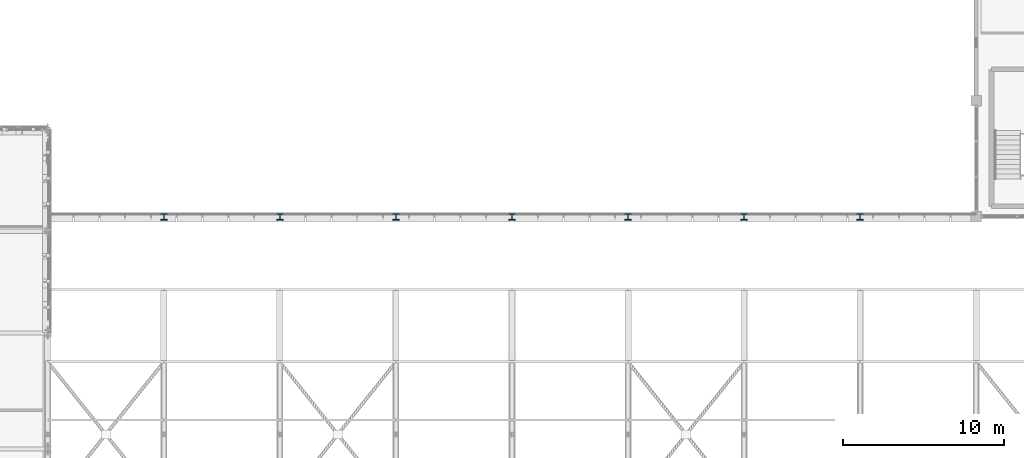
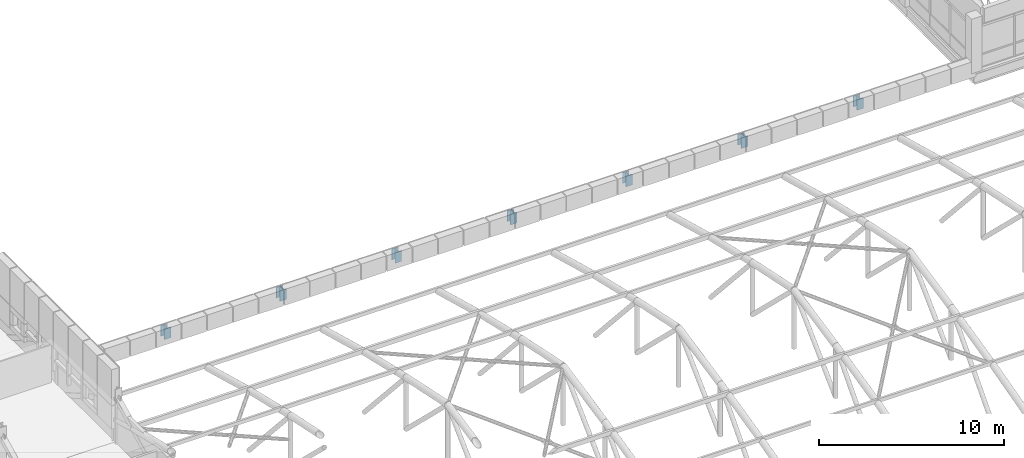
# One storey, part 9 of 96: 7 columns.
"""IFC4 building model written with IfcOpenShell, lengths in metres."""

from ifc_helpers import new_model, si_unit, direction, frame, origin, origin_2d, place, context, subcontext, project, spatial, i_section, extrude, material, material_profile, profile_set, type_object, element, save


model = new_model("IFC4")

# Units and contexts
model_context = context("Model", 3, precision=1e-05, world=origin(), true_north=direction((0.0, 1.0)))
body_context = subcontext(model_context, "Body", "Model", "MODEL_VIEW")
ifc_project = project(units=[si_unit("LENGTHUNIT", "METRE"), si_unit("AREAUNIT", "SQUARE_METRE"), si_unit("VOLUMEUNIT", "CUBIC_METRE"), si_unit("PLANEANGLEUNIT", "RADIAN"), si_unit("MASSUNIT", "GRAM", prefix="KILO")], contexts=[model_context])

# Site, building, storey
site_placement = place(None, origin())
site = spatial("IfcSite", under=ifc_project, at=site_placement, CompositionType="ELEMENT")
building_placement = place(site_placement, origin())
building = spatial("IfcBuilding", under=site, at=building_placement, Name="Yarey Park Central Fire Station", CompositionType="ELEMENT")
storey_placement = place(building_placement, frame((0.0, 0.0, 14.39990234375)))
storey = spatial("IfcBuildingStorey", under=building, at=storey_placement, Name="L04", CompositionType="ELEMENT", Elevation=14.39990234375)

# Columns
ifc_material = material(Name="Steel ASTM A992 Gr. 50", Category="steel")
ifc_material_profile = material_profile(ifc_material, i_section(OverallWidth=0.404052734375, OverallDepth=0.406982421875, WebThickness=0.027099609375, FlangeThickness=0.043701171875, at=origin_2d()), Name="W360x347")
ifc_profile_set = profile_set([ifc_material_profile], Name="Steel ASTM A992 Gr. 50")
column_type = type_object("IfcColumnType", Name="STR_COL_W360_EXT", PredefinedType="COLUMN", material=ifc_profile_set)
for number, where, z_axis, x_axis, name in (
    (1, (64.800048828125, 93.60009765625, 0.0), (0.0, 0.0, 1.0), (1.0, 0.0, 0.0), "V2_SCR_POST_N_L04_64"),
    (2, (72.0, 93.60009765625, 0.0), (0.0, 0.0, 1.0), (1.0, 0.0, 0.0), "V2_SCR_POST_N_L04_72"),
    (3, (79.199951171875, 93.60009765625, 0.0), (0.0, 0.0, 1.0), (1.0, 0.0, 0.0), "V2_SCR_POST_N_L04_79"),
    (4, (86.39990234375, 93.60009765625, 0.0), (0.0, 0.0, 1.0), (1.0, 0.0, 0.0), "V2_SCR_POST_N_L04_86"),
    (5, (93.60009765625, 93.60009765625, 0.0), (0.0, 0.0, 1.0), (1.0, 0.0, 0.0), "V2_SCR_POST_N_L04_93"),
    (6, (100.800048828125, 93.60009765625, 0.0), (0.0, 0.0, 1.0), (1.0, 0.0, 0.0), "V2_SCR_POST_N_L04_100"),
    (7, (108.0, 93.60009765625, 0.0), (0.0, 0.0, 1.0), (1.0, 0.0, 0.0), "V2_SCR_POST_N_L04_108"),
):
    element("IfcColumn", number, at=place(storey_placement, frame(where, z_axis=z_axis, x_axis=x_axis)), inside=storey, type_object=column_type, Name=name, PredefinedType="COLUMN", context=body_context, shape_type="SweptSolid", body=[
        extrude(i_section(OverallWidth=0.404052734375, OverallDepth=0.406982421875, WebThickness=0.027099609375, FlangeThickness=0.043701171875, at=origin_2d()), origin(), (0.0, 0.0, 1.0), 0.7001953125),
    ])

save(model, "model.ifc")
